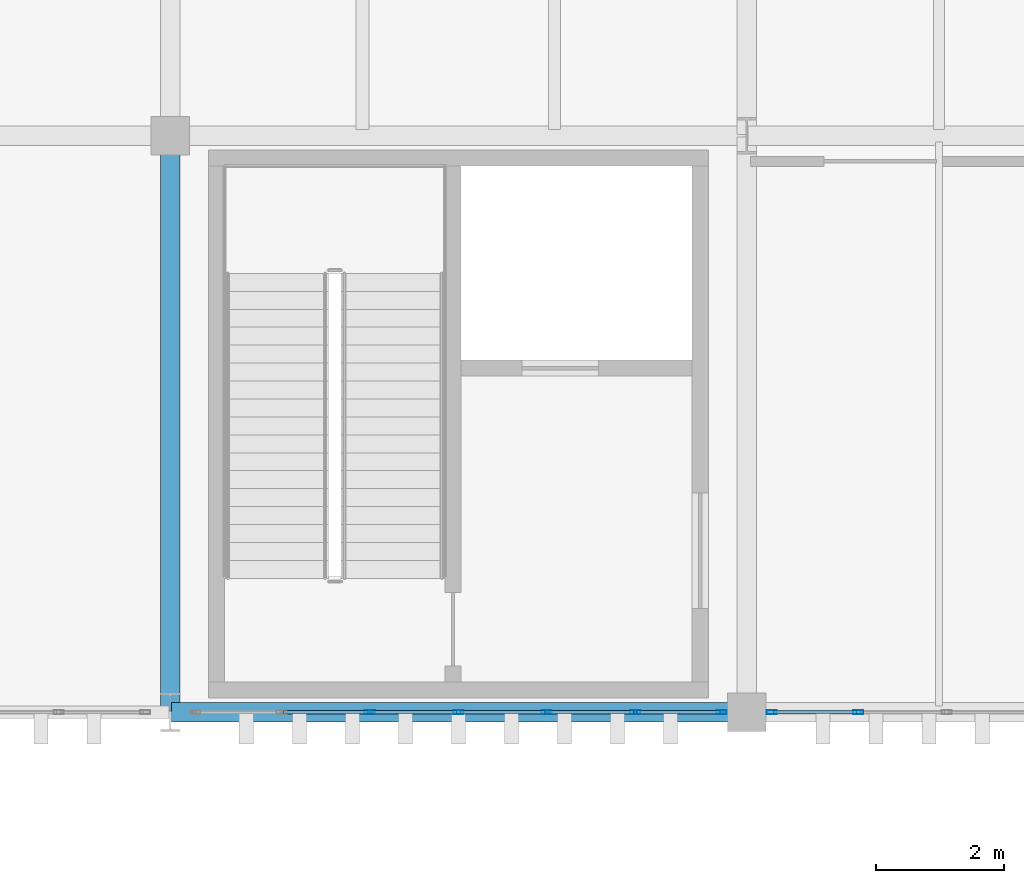
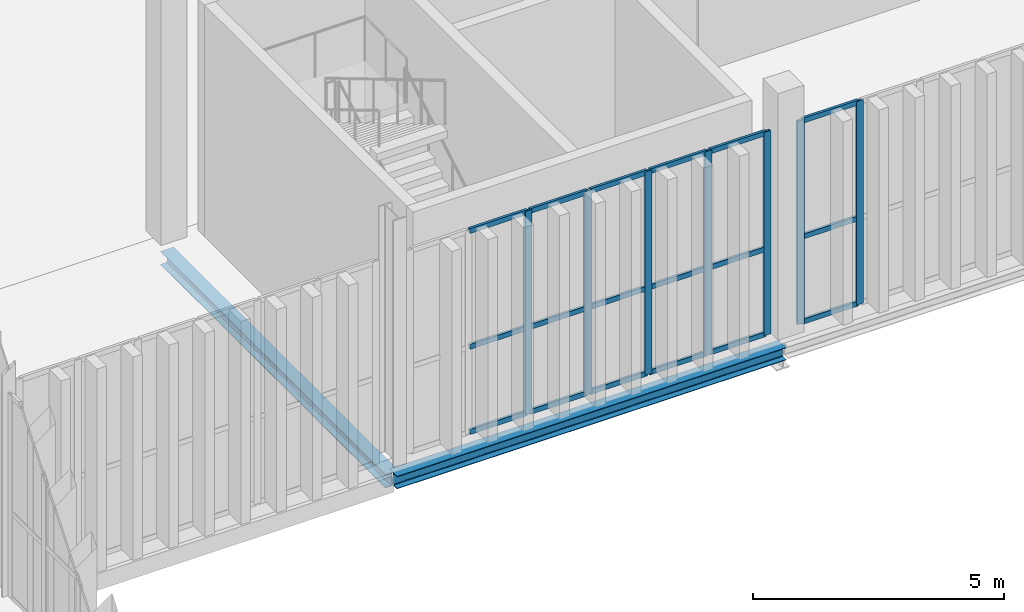
# One storey, part 113 of 211: 25 members, 2 beams, 2 elements without a shape of their own.
"""IFC4 building model written with IfcOpenShell, lengths in metres."""

from ifc_helpers import new_model, si_unit, direction, frame, origin, origin_2d, place, context, subcontext, project, spatial, hollow_rectangle, i_section, extrude, material, layer, layer_set, material_profile, profile_set, type_object, element, aggregate, save


model = new_model("IFC4")

# Units and contexts
model_context = context("Model", 3, precision=1e-05, world=origin(), true_north=direction((0.0, 1.0)))
body_context = subcontext(model_context, "Body", "Model", "MODEL_VIEW")
ifc_project = project(units=[si_unit("LENGTHUNIT", "METRE"), si_unit("AREAUNIT", "SQUARE_METRE"), si_unit("VOLUMEUNIT", "CUBIC_METRE"), si_unit("PLANEANGLEUNIT", "RADIAN"), si_unit("MASSUNIT", "GRAM", prefix="KILO")], contexts=[model_context])

# Site, building, storey
site_placement = place(None, origin())
site = spatial("IfcSite", under=ifc_project, at=site_placement, CompositionType="ELEMENT")
building_placement = place(site_placement, origin())
building = spatial("IfcBuilding", under=site, at=building_placement, Name="Barlavento Convention Centre", CompositionType="ELEMENT")
storey_placement = place(building_placement, frame((0.0, 0.0, 6.0)))
storey = spatial("IfcBuildingStorey", under=building, at=storey_placement, Name="L01", CompositionType="ELEMENT", Elevation=6.0)

# Curtain wall, members
ifc_material_1 = material(Name="Powder-coated aluminium and Low-E glass", Category="aluminium")
ifc_layer = layer(ifc_material_1, 0.195068359375)
ifc_layer_set = layer_set([ifc_layer], Name="ARC-CW-PATIO-A")
curtain_wall_type = type_object("IfcCurtainWallType", Name="ARC-CW-PATIO-A", PredefinedType="NOTDEFINED", material=ifc_layer_set)
curtain_wall_1_placement = place(storey_placement, origin())
curtain_wall_1 = element("IfcCurtainWall", 1, at=curtain_wall_1_placement, inside=storey, type_object=curtain_wall_type, Name="L01 unitised curtain wall CW11", PredefinedType="NOTDEFINED")
ifc_material_2 = material(Name="Powder-coated aluminium", Category="aluminium")
ifc_material_profile_1 = material_profile(ifc_material_2, hollow_rectangle(XDim=0.06005859375, YDim=0.159912109375, WallThickness=0.00390625, at=origin_2d()), Name="AL-MULL 60x160x4")
ifc_profile_set_1 = profile_set([ifc_material_profile_1], Name="Powder-coated aluminium")
member_type_1 = type_object("IfcMemberType", Name="ARC-CWM-60X160", PredefinedType="MULLION", material=ifc_profile_set_1)
member_1_placement = place(storey_placement, frame((147.1201171875, 90.0, 0.0), z_axis=(0.0, 0.0, 1.0), x_axis=(0.0, 1.0, 0.0)))
member_1 = element("IfcMember", 2, at=member_1_placement, type_object=member_type_1, Name="CW11 mullion 3", PredefinedType="MULLION", context=body_context, shape_type="SweptSolid", body=[
    extrude(hollow_rectangle(XDim=0.06005859375, YDim=0.159912109375, WallThickness=0.00390625, at=origin_2d()), origin(), (0.0, 0.0, 1.0), 4.949951171875),
])
member_2_placement = place(storey_placement, frame((148.5, 90.0, 0.0), z_axis=(0.0, 0.0, 1.0), x_axis=(0.0, 1.0, 0.0)))
member_2 = element("IfcMember", 3, at=member_2_placement, type_object=member_type_1, Name="CW11 mullion 4", PredefinedType="MULLION", context=body_context, shape_type="SweptSolid", body=[
    extrude(hollow_rectangle(XDim=0.06005859375, YDim=0.159912109375, WallThickness=0.00390625, at=origin_2d()), origin(), (0.0, 0.0, 1.0), 4.949951171875),
])
member_3_placement = place(storey_placement, frame((149.8798828125, 90.0, 0.0), z_axis=(0.0, 0.0, 1.0), x_axis=(0.0, 1.0, 0.0)))
member_3 = element("IfcMember", 4, at=member_3_placement, type_object=member_type_1, Name="CW11 mullion 5", PredefinedType="MULLION", context=body_context, shape_type="SweptSolid", body=[
    extrude(hollow_rectangle(XDim=0.06005859375, YDim=0.159912109375, WallThickness=0.00390625, at=origin_2d()), origin(), (0.0, 0.0, 1.0), 4.949951171875),
])
member_4_placement = place(storey_placement, frame((151.260009765625, 90.0, 0.0), z_axis=(0.0, 0.0, 1.0), x_axis=(0.0, 1.0, 0.0)))
member_4 = element("IfcMember", 5, at=member_4_placement, type_object=member_type_1, Name="CW11 mullion 6", PredefinedType="MULLION", context=body_context, shape_type="SweptSolid", body=[
    extrude(hollow_rectangle(XDim=0.06005859375, YDim=0.159912109375, WallThickness=0.00390625, at=origin_2d()), origin(), (0.0, 0.0, 1.0), 4.949951171875),
])
member_5_placement = place(storey_placement, frame((152.610107421875, 90.0, 0.0), z_axis=(0.0, 0.0, 1.0), x_axis=(0.0, 1.0, 0.0)))
member_5 = element("IfcMember", 6, at=member_5_placement, type_object=member_type_1, Name="CW11 mullion 7", PredefinedType="MULLION", context=body_context, shape_type="SweptSolid", body=[
    extrude(hollow_rectangle(XDim=0.06005859375, YDim=0.159912109375, WallThickness=0.00390625, at=origin_2d()), origin(), (0.0, 0.0, 1.0), 4.949951171875),
])

curtain_wall_2_placement = place(storey_placement, origin())
curtain_wall_2 = element("IfcCurtainWall", 7, at=curtain_wall_2_placement, inside=storey, type_object=curtain_wall_type, Name="L01 unitised curtain wall CW11", PredefinedType="NOTDEFINED")
member_6_placement = place(storey_placement, frame((153.389892578125, 90.0, 0.0), z_axis=(0.0, 0.0, 1.0), x_axis=(0.0, 1.0, 0.0)))
member_6 = element("IfcMember", 8, at=member_6_placement, type_object=member_type_1, Name="CW11 mullion 1", PredefinedType="MULLION", context=body_context, shape_type="SweptSolid", body=[
    extrude(hollow_rectangle(XDim=0.06005859375, YDim=0.159912109375, WallThickness=0.00390625, at=origin_2d()), origin(), (0.0, 0.0, 1.0), 4.949951171875),
])
member_7_placement = place(storey_placement, frame((154.742431640625, 90.0, 0.0), z_axis=(0.0, 0.0, 1.0), x_axis=(0.0, 1.0, 0.0)))
member_7 = element("IfcMember", 9, at=member_7_placement, type_object=member_type_1, Name="CW11 mullion 2", PredefinedType="MULLION", context=body_context, shape_type="SweptSolid", body=[
    extrude(hollow_rectangle(XDim=0.06005859375, YDim=0.159912109375, WallThickness=0.00390625, at=origin_2d()), origin(), (0.0, 0.0, 1.0), 4.949951171875),
])

# Member
ifc_material_profile_2 = material_profile(ifc_material_2, hollow_rectangle(XDim=0.06005859375, YDim=0.1201171875, WallThickness=0.00390625, at=origin_2d()), Name="AL-TRAN 60x120x4")
ifc_profile_set_2 = profile_set([ifc_material_profile_2], Name="Powder-coated aluminium")
member_type_2 = type_object("IfcMemberType", Name="ARC-CWT-60X120", PredefinedType="USERDEFINED", material=ifc_profile_set_2)
member_8_placement = place(storey_placement, frame((145.77001953125, 90.0, 0.030029296875), z_axis=(1.0, 0.0, 0.0), x_axis=(0.0, 1.0, 0.0)))
member_8 = element("IfcMember", 10, at=member_8_placement, type_object=member_type_2, Name="CW11 transom 2.1", ObjectType="TRANSOM", PredefinedType="USERDEFINED", context=body_context, shape_type="SweptSolid", body=[
    extrude(hollow_rectangle(XDim=0.06005859375, YDim=0.1201171875, WallThickness=0.00390625, at=origin_2d()), origin(), (0.0, 0.0, 1.0), 1.320068359375),
])

member_9_placement = place(storey_placement, frame((145.77001953125, 90.0, 2.10009765625), z_axis=(1.0, 0.0, 0.0), x_axis=(0.0, 1.0, 0.0)))
member_9 = element("IfcMember", 11, at=member_9_placement, type_object=member_type_2, Name="CW11 transom 2.2", ObjectType="TRANSOM", PredefinedType="USERDEFINED", context=body_context, shape_type="SweptSolid", body=[
    extrude(hollow_rectangle(XDim=0.06005859375, YDim=0.1201171875, WallThickness=0.00390625, at=origin_2d()), origin(), (0.0, 0.0, 1.0), 1.320068359375),
])

member_10_placement = place(storey_placement, frame((145.77001953125, 90.0, 4.919921875), z_axis=(1.0, 0.0, 0.0), x_axis=(0.0, 1.0, 0.0)))
member_10 = element("IfcMember", 12, at=member_10_placement, type_object=member_type_2, Name="CW11 transom 2.3", ObjectType="TRANSOM", PredefinedType="USERDEFINED", context=body_context, shape_type="SweptSolid", body=[
    extrude(hollow_rectangle(XDim=0.06005859375, YDim=0.1201171875, WallThickness=0.00390625, at=origin_2d()), origin(), (0.0, 0.0, 1.0), 1.320068359375),
])

member_11_placement = place(storey_placement, frame((147.14990234375, 90.0, 0.030029296875), z_axis=(1.0, 0.0, 0.0), x_axis=(0.0, 1.0, 0.0)))
member_11 = element("IfcMember", 13, at=member_11_placement, type_object=member_type_2, Name="CW11 transom 3.1", ObjectType="TRANSOM", PredefinedType="USERDEFINED", context=body_context, shape_type="SweptSolid", body=[
    extrude(hollow_rectangle(XDim=0.06005859375, YDim=0.1201171875, WallThickness=0.00390625, at=origin_2d()), origin(), (0.0, 0.0, 1.0), 1.320068359375),
])

member_12_placement = place(storey_placement, frame((147.14990234375, 90.0, 2.10009765625), z_axis=(1.0, 0.0, 0.0), x_axis=(0.0, 1.0, 0.0)))
member_12 = element("IfcMember", 14, at=member_12_placement, type_object=member_type_2, Name="CW11 transom 3.2", ObjectType="TRANSOM", PredefinedType="USERDEFINED", context=body_context, shape_type="SweptSolid", body=[
    extrude(hollow_rectangle(XDim=0.06005859375, YDim=0.1201171875, WallThickness=0.00390625, at=origin_2d()), origin(), (0.0, 0.0, 1.0), 1.320068359375),
])

member_13_placement = place(storey_placement, frame((147.14990234375, 90.0, 4.919921875), z_axis=(1.0, 0.0, 0.0), x_axis=(0.0, 1.0, 0.0)))
member_13 = element("IfcMember", 15, at=member_13_placement, type_object=member_type_2, Name="CW11 transom 3.3", ObjectType="TRANSOM", PredefinedType="USERDEFINED", context=body_context, shape_type="SweptSolid", body=[
    extrude(hollow_rectangle(XDim=0.06005859375, YDim=0.1201171875, WallThickness=0.00390625, at=origin_2d()), origin(), (0.0, 0.0, 1.0), 1.320068359375),
])

member_14_placement = place(storey_placement, frame((148.530029296875, 90.0, 0.030029296875), z_axis=(1.0, 0.0, 0.0), x_axis=(0.0, 1.0, 0.0)))
member_14 = element("IfcMember", 16, at=member_14_placement, type_object=member_type_2, Name="CW11 transom 4.1", ObjectType="TRANSOM", PredefinedType="USERDEFINED", context=body_context, shape_type="SweptSolid", body=[
    extrude(hollow_rectangle(XDim=0.06005859375, YDim=0.1201171875, WallThickness=0.00390625, at=origin_2d()), origin(), (0.0, 0.0, 1.0), 1.320068359375),
])

member_15_placement = place(storey_placement, frame((148.530029296875, 90.0, 2.10009765625), z_axis=(1.0, 0.0, 0.0), x_axis=(0.0, 1.0, 0.0)))
member_15 = element("IfcMember", 17, at=member_15_placement, type_object=member_type_2, Name="CW11 transom 4.2", ObjectType="TRANSOM", PredefinedType="USERDEFINED", context=body_context, shape_type="SweptSolid", body=[
    extrude(hollow_rectangle(XDim=0.06005859375, YDim=0.1201171875, WallThickness=0.00390625, at=origin_2d()), origin(), (0.0, 0.0, 1.0), 1.320068359375),
])

member_16_placement = place(storey_placement, frame((148.530029296875, 90.0, 4.919921875), z_axis=(1.0, 0.0, 0.0), x_axis=(0.0, 1.0, 0.0)))
member_16 = element("IfcMember", 18, at=member_16_placement, type_object=member_type_2, Name="CW11 transom 4.3", ObjectType="TRANSOM", PredefinedType="USERDEFINED", context=body_context, shape_type="SweptSolid", body=[
    extrude(hollow_rectangle(XDim=0.06005859375, YDim=0.1201171875, WallThickness=0.00390625, at=origin_2d()), origin(), (0.0, 0.0, 1.0), 1.320068359375),
])

member_17_placement = place(storey_placement, frame((149.909912109375, 90.0, 0.030029296875), z_axis=(1.0, 0.0, 0.0), x_axis=(0.0, 1.0, 0.0)))
member_17 = element("IfcMember", 19, at=member_17_placement, type_object=member_type_2, Name="CW11 transom 5.1", ObjectType="TRANSOM", PredefinedType="USERDEFINED", context=body_context, shape_type="SweptSolid", body=[
    extrude(hollow_rectangle(XDim=0.06005859375, YDim=0.1201171875, WallThickness=0.00390625, at=origin_2d()), origin(), (0.0, 0.0, 1.0), 1.320068359375),
])

member_18_placement = place(storey_placement, frame((149.909912109375, 90.0, 2.10009765625), z_axis=(1.0, 0.0, 0.0), x_axis=(0.0, 1.0, 0.0)))
member_18 = element("IfcMember", 20, at=member_18_placement, type_object=member_type_2, Name="CW11 transom 5.2", ObjectType="TRANSOM", PredefinedType="USERDEFINED", context=body_context, shape_type="SweptSolid", body=[
    extrude(hollow_rectangle(XDim=0.06005859375, YDim=0.1201171875, WallThickness=0.00390625, at=origin_2d()), origin(), (0.0, 0.0, 1.0), 1.320068359375),
])

member_19_placement = place(storey_placement, frame((149.909912109375, 90.0, 4.919921875), z_axis=(1.0, 0.0, 0.0), x_axis=(0.0, 1.0, 0.0)))
member_19 = element("IfcMember", 21, at=member_19_placement, type_object=member_type_2, Name="CW11 transom 5.3", ObjectType="TRANSOM", PredefinedType="USERDEFINED", context=body_context, shape_type="SweptSolid", body=[
    extrude(hollow_rectangle(XDim=0.06005859375, YDim=0.1201171875, WallThickness=0.00390625, at=origin_2d()), origin(), (0.0, 0.0, 1.0), 1.320068359375),
])

member_20_placement = place(storey_placement, frame((151.2900390625, 90.0, 0.030029296875), z_axis=(1.0, 0.0, 0.0), x_axis=(0.0, 1.0, 0.0)))
member_20 = element("IfcMember", 22, at=member_20_placement, type_object=member_type_2, Name="CW11 transom 6.1", ObjectType="TRANSOM", PredefinedType="USERDEFINED", context=body_context, shape_type="SweptSolid", body=[
    extrude(hollow_rectangle(XDim=0.06005859375, YDim=0.1201171875, WallThickness=0.00390625, at=origin_2d()), origin(), (0.0, 0.0, 1.0), 1.2900390625),
])

member_21_placement = place(storey_placement, frame((151.2900390625, 90.0, 2.10009765625), z_axis=(1.0, 0.0, 0.0), x_axis=(0.0, 1.0, 0.0)))
member_21 = element("IfcMember", 23, at=member_21_placement, type_object=member_type_2, Name="CW11 transom 6.2", ObjectType="TRANSOM", PredefinedType="USERDEFINED", context=body_context, shape_type="SweptSolid", body=[
    extrude(hollow_rectangle(XDim=0.06005859375, YDim=0.1201171875, WallThickness=0.00390625, at=origin_2d()), origin(), (0.0, 0.0, 1.0), 1.2900390625),
])

member_22_placement = place(storey_placement, frame((151.2900390625, 90.0, 4.919921875), z_axis=(1.0, 0.0, 0.0), x_axis=(0.0, 1.0, 0.0)))
member_22 = element("IfcMember", 24, at=member_22_placement, type_object=member_type_2, Name="CW11 transom 6.3", ObjectType="TRANSOM", PredefinedType="USERDEFINED", context=body_context, shape_type="SweptSolid", body=[
    extrude(hollow_rectangle(XDim=0.06005859375, YDim=0.1201171875, WallThickness=0.00390625, at=origin_2d()), origin(), (0.0, 0.0, 1.0), 1.2900390625),
])

aggregate(curtain_wall_1, [member_1, member_2, member_3, member_4, member_5, member_8, member_9, member_10, member_11, member_12, member_13, member_14, member_15, member_16, member_17, member_18, member_19, member_20, member_21, member_22])

member_23_placement = place(storey_placement, frame((153.419921875, 90.0, 0.030029296875), z_axis=(1.0, 0.0, 0.0), x_axis=(0.0, 1.0, 0.0)))
member_23 = element("IfcMember", 25, at=member_23_placement, type_object=member_type_2, Name="CW11 transom 1.1", ObjectType="TRANSOM", PredefinedType="USERDEFINED", context=body_context, shape_type="SweptSolid", body=[
    extrude(hollow_rectangle(XDim=0.06005859375, YDim=0.1201171875, WallThickness=0.00390625, at=origin_2d()), origin(), (0.0, 0.0, 1.0), 1.29248046875),
])

member_24_placement = place(storey_placement, frame((153.419921875, 90.0, 2.10009765625), z_axis=(1.0, 0.0, 0.0), x_axis=(0.0, 1.0, 0.0)))
member_24 = element("IfcMember", 26, at=member_24_placement, type_object=member_type_2, Name="CW11 transom 1.2", ObjectType="TRANSOM", PredefinedType="USERDEFINED", context=body_context, shape_type="SweptSolid", body=[
    extrude(hollow_rectangle(XDim=0.06005859375, YDim=0.1201171875, WallThickness=0.00390625, at=origin_2d()), origin(), (0.0, 0.0, 1.0), 1.29248046875),
])

member_25_placement = place(storey_placement, frame((153.419921875, 90.0, 4.919921875), z_axis=(1.0, 0.0, 0.0), x_axis=(0.0, 1.0, 0.0)))
member_25 = element("IfcMember", 27, at=member_25_placement, type_object=member_type_2, Name="CW11 transom 1.3", ObjectType="TRANSOM", PredefinedType="USERDEFINED", context=body_context, shape_type="SweptSolid", body=[
    extrude(hollow_rectangle(XDim=0.06005859375, YDim=0.1201171875, WallThickness=0.00390625, at=origin_2d()), origin(), (0.0, 0.0, 1.0), 1.29248046875),
])

aggregate(curtain_wall_2, [member_6, member_7, member_23, member_24, member_25])

# Beams
ifc_material_3 = material(Name="Steel S355", Category="steel")
ifc_material_profile_3 = material_profile(ifc_material_3, i_section(OverallWidth=0.300048828125, OverallDepth=0.330078125, WebThickness=0.009521484375, FlangeThickness=0.0166015625, FilletRadius=0.027099609375, at=origin_2d()), Name="HEA 340")
ifc_profile_set_3 = profile_set([ifc_material_profile_3], Name="Steel S355")
beam_type_1 = type_object("IfcBeamType", Name="STR-BM-PRI-HEA340", PredefinedType="BEAM", material=ifc_profile_set_3)
beam_1_placement = place(storey_placement, frame((144.0, 90.02001953125, -0.52490234375), z_axis=(0.0, 1.0, 0.0), x_axis=(-1.0, 0.0, 0.0)))
element("IfcBeam", 28, at=beam_1_placement, inside=storey, type_object=beam_type_1, Name="L01 grid girder BG24", PredefinedType="BEAM", context=body_context, shape_type="SweptSolid", body=[
    extrude(i_section(OverallWidth=0.300048828125, OverallDepth=0.330078125, WebThickness=0.009521484375, FlangeThickness=0.0166015625, FilletRadius=0.027099609375, at=origin_2d()), origin(), (0.0, 0.0, 1.0), 8.9599609375),
])
ifc_material_profile_4 = material_profile(ifc_material_3, i_section(OverallWidth=0.300048828125, OverallDepth=0.31005859375, WebThickness=0.009033203125, FlangeThickness=0.015380859375, FilletRadius=0.027099609375, at=origin_2d()), Name="HEA 320")
ifc_profile_set_4 = profile_set([ifc_material_profile_4], Name="Steel S355")
beam_type_2 = type_object("IfcBeamType", Name="STR-BM-SPN-HEA320", PredefinedType="SPANDREL", material=ifc_profile_set_4)
beam_2_placement = place(storey_placement, frame((144.02001953125, 90.0, -0.514892578125), z_axis=(1.0, 0.0, 0.0), x_axis=(0.0, 1.0, 0.0)))
element("IfcBeam", 29, at=beam_2_placement, inside=storey, type_object=beam_type_2, Name="L01 primary girder SP01", PredefinedType="SPANDREL", context=body_context, shape_type="SweptSolid", body=[
    extrude(i_section(OverallWidth=0.300048828125, OverallDepth=0.31005859375, WebThickness=0.009033203125, FlangeThickness=0.015380859375, FilletRadius=0.027099609375, at=origin_2d()), origin(), (0.0, 0.0, 1.0), 8.9599609375),
])

save(model, "model.ifc")
